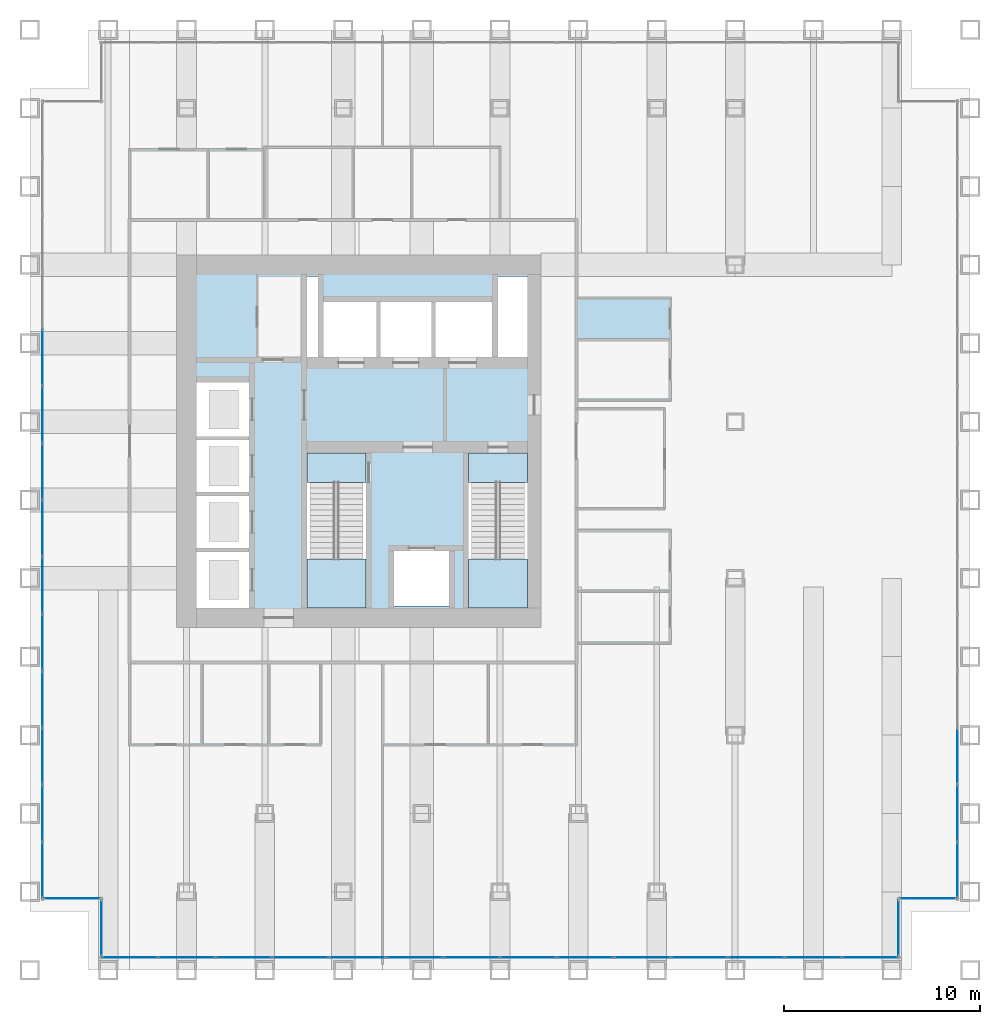
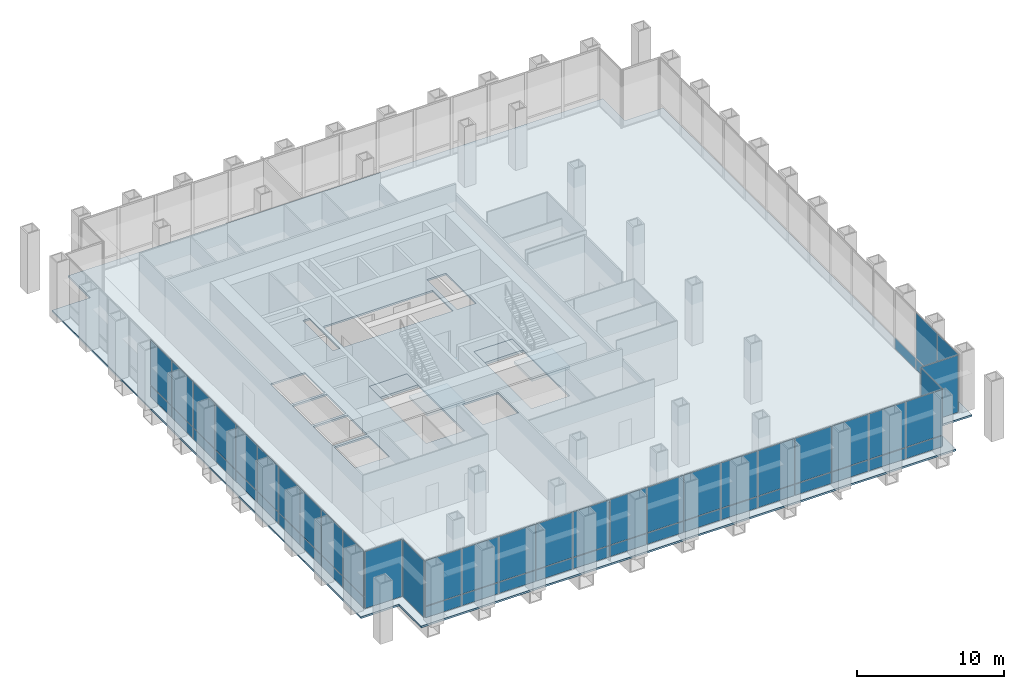
# One storey, part 10 of 16: 57 plates, 5 slabs, 9 elements without a shape of their own.
"""IFC4 building model written with IfcOpenShell, lengths in metres."""

from ifc_helpers import new_model, si_unit, direction, frame, origin, origin_2d, place, context, subcontext, project, spatial, polyline, rectangle, outline, extrude, material, layer, layer_set, type_object, element, aggregate, save


model = new_model("IFC4")

# Units and contexts
model_context = context("Model", 3, precision=1e-05, world=origin(), true_north=direction((0.0, 1.0)))
body_context = subcontext(model_context, "Body", "Model", "MODEL_VIEW")
ifc_project = project(units=[si_unit("LENGTHUNIT", "METRE"), si_unit("AREAUNIT", "SQUARE_METRE"), si_unit("VOLUMEUNIT", "CUBIC_METRE"), si_unit("PLANEANGLEUNIT", "RADIAN"), si_unit("MASSUNIT", "GRAM", prefix="KILO")], contexts=[model_context])

# Site, building, storey
site_placement = place(None, origin())
site = spatial("IfcSite", under=ifc_project, at=site_placement, CompositionType="ELEMENT")
building_placement = place(site_placement, origin())
building = spatial("IfcBuilding", under=site, at=building_placement, Name="Rimbunsela Tower", CompositionType="ELEMENT")
storey_placement = place(building_placement, frame((0.0, 0.0, 76.39990234375)))
storey = spatial("IfcBuildingStorey", under=building, at=storey_placement, Name="L18", CompositionType="ELEMENT", Elevation=76.39990234375)

# Slab
ifc_material_1 = material(Name="Concrete fc' 35 MPa", Category="concrete")
ifc_layer_1 = layer(ifc_material_1, 0.14990234375)
ifc_layer_set_1 = layer_set([ifc_layer_1], Name="Floor slab 150")
slab_type_1 = type_object("IfcSlabType", Name="Floor slab 150", PredefinedType="FLOOR", material=ifc_layer_set_1)
slab_1_placement = place(storey_placement, frame((0.0, 0.0, -0.14990234375)))
element("IfcSlab", 1, at=slab_1_placement, inside=storey, type_object=slab_type_1, Name="Floor slab L18", PredefinedType="FLOOR", context=body_context, shape_type="SweptSolid", body=[
    extrude(outline(polyline([(13.0, 0.0), (55.0, 0.0), (55.0, 3.0), (58.0, 3.0), (58.0, 45.0), (55.0, 45.0), (55.0, 48.0), (13.0, 48.0), (13.0, 45.0), (10.0, 45.0), (10.0, 3.0), (13.0, 3.0), (13.0, 0.0)]), holes=[polyline([(21.199951171875, 21.35009765625), (18.5, 21.35009765625), (18.5, 18.5), (21.199951171875, 18.5), (21.199951171875, 21.35009765625)]), polyline([(21.199951171875, 21.550048828125), (21.199951171875, 24.199951171875), (18.5, 24.199951171875), (18.5, 21.550048828125), (21.199951171875, 21.550048828125)]), polyline([(21.199951171875, 27.050048828125), (18.5, 27.050048828125), (18.5, 24.39990234375), (21.199951171875, 24.39990234375), (21.199951171875, 27.050048828125)]), polyline([(21.199951171875, 27.25), (21.199951171875, 30.0), (18.5, 30.0), (18.5, 27.25), (21.199951171875, 27.25)]), polyline([(27.14990234375, 18.60009765625), (27.14990234375, 26.39990234375), (24.14990234375, 26.39990234375), (24.14990234375, 18.60009765625), (27.14990234375, 18.60009765625)]), polyline([(24.699951171875, 31.300048828125), (24.699951171875, 35.39990234375), (24.14990234375, 35.39990234375), (24.14990234375, 31.300048828125), (24.699951171875, 31.300048828125)]), polyline([(25.0, 34.10009765625), (25.0, 31.300048828125), (33.60009765625, 31.300048828125), (33.60009765625, 34.10009765625), (25.0, 34.10009765625)]), polyline([(31.39990234375, 21.39990234375), (28.60009765625, 21.39990234375), (28.60009765625, 18.60009765625), (31.39990234375, 18.60009765625), (31.39990234375, 21.39990234375)]), polyline([(35.39990234375, 18.60009765625), (35.39990234375, 26.39990234375), (32.39990234375, 26.39990234375), (32.39990234375, 18.60009765625), (35.39990234375, 18.60009765625)]), polyline([(35.39990234375, 31.300048828125), (35.39990234375, 35.39990234375), (33.89990234375, 35.39990234375), (33.89990234375, 31.300048828125), (35.39990234375, 31.300048828125)])]), origin(), (0.0, 0.0, 1.0), 0.14990234375),
])

# Curtain wall, plate
ifc_material_2 = material(Name="Aluminium curtain wall", Category="aluminium")
curtain_wall_type_1 = type_object("IfcCurtainWallType", Name="Corner glazing", PredefinedType="USERDEFINED", material=ifc_material_2)
curtain_wall_1_placement = place(storey_placement, origin())
curtain_wall_1 = element("IfcCurtainWall", 2, at=curtain_wall_1_placement, inside=storey, type_object=curtain_wall_type_1, Name="Corner glazing L18", ObjectType="CORNER GLAZING", PredefinedType="USERDEFINED")
ifc_material_3 = material(Name="Clear double glazing", Category="glass")
ifc_layer_2 = layer(ifc_material_3, 0.028076171875)
ifc_layer_set_2 = layer_set([ifc_layer_2], Name="Glazed panel clear")
plate_type = type_object("IfcPlateType", Name="Glazed panel clear", PredefinedType="CURTAIN_PANEL", material=ifc_layer_set_2)
plate_1_placement = place(storey_placement, frame((54.35009765625, 2.14990234375, 0.06005859375), z_axis=(0.0, 0.0, 1.0), x_axis=(0.0, 1.0, 0.0)))
plate_1 = element("IfcPlate", 3, at=plate_1_placement, type_object=plate_type, Name="CW5 panel 1.1", PredefinedType="CURTAIN_PANEL", context=body_context, shape_type="SweptSolid", body=[
    extrude(rectangle(XDim=2.8798828125, YDim=0.028076171875, at=origin_2d()), origin(), (0.0, 0.0, 1.0), 4.72998046875),
])
aggregate(curtain_wall_1, [plate_1])

curtain_wall_2_placement = place(storey_placement, origin())
curtain_wall_2 = element("IfcCurtainWall", 4, at=curtain_wall_2_placement, inside=storey, type_object=curtain_wall_type_1, Name="Corner glazing L18", ObjectType="CORNER GLAZING", PredefinedType="USERDEFINED")
plate_2_placement = place(storey_placement, frame((55.85009765625, 3.64990234375, 0.06005859375), z_axis=(0.0, 0.0, 1.0), x_axis=(1.0, 0.0, 0.0)))
plate_2 = element("IfcPlate", 5, at=plate_2_placement, type_object=plate_type, Name="CW5 panel 1.1", PredefinedType="CURTAIN_PANEL", context=body_context, shape_type="SweptSolid", body=[
    extrude(rectangle(XDim=2.8798828125, YDim=0.028076171875, at=origin_2d()), origin(), (0.0, 0.0, 1.0), 4.72998046875),
])
aggregate(curtain_wall_2, [plate_2])

# Curtain wall, plates
ifc_material_4 = material(Name="Aluminium curtain wall", Category="aluminium")
curtain_wall_type_2 = type_object("IfcCurtainWallType", Name="Sky lobby glazing", PredefinedType="USERDEFINED", material=ifc_material_4)
curtain_wall_3_placement = place(storey_placement, origin())
curtain_wall_3 = element("IfcCurtainWall", 6, at=curtain_wall_3_placement, inside=storey, type_object=curtain_wall_type_2, Name="Sky lobby glazing L18", ObjectType="SKY LOBBY GLAZING", PredefinedType="USERDEFINED")
plate_3_placement = place(storey_placement, frame((57.35009765625, 5.11865234375, 0.06005859375), z_axis=(0.0, 0.0, 1.0), x_axis=(0.0, 1.0, 0.0)))
plate_3 = element("IfcPlate", 7, at=plate_3_placement, type_object=plate_type, Name="CW4 panel 1.1", PredefinedType="CURTAIN_PANEL", context=body_context, shape_type="SweptSolid", body=[
    extrude(rectangle(XDim=2.817138671875, YDim=0.028076171875, at=origin_2d()), origin(), (0.0, 0.0, 1.0), 0.909912109375),
])
plate_4_placement = place(storey_placement, frame((57.35009765625, 5.11865234375, 1.0302734375), z_axis=(0.0, 0.0, 1.0), x_axis=(0.0, 1.0, 0.0)))
plate_4 = element("IfcPlate", 8, at=plate_4_placement, type_object=plate_type, Name="CW4 panel 1.2", PredefinedType="CURTAIN_PANEL", context=body_context, shape_type="SweptSolid", body=[
    extrude(rectangle(XDim=2.817138671875, YDim=0.028076171875, at=origin_2d()), origin(), (0.0, 0.0, 1.0), 3.760009765625),
])
plate_5_placement = place(storey_placement, frame((57.35009765625, 8.0107421875, 0.06005859375), z_axis=(0.0, 0.0, 1.0), x_axis=(0.0, 1.0, 0.0)))
plate_5 = element("IfcPlate", 9, at=plate_5_placement, type_object=plate_type, Name="CW4 panel 2.1", PredefinedType="CURTAIN_PANEL", context=body_context, shape_type="SweptSolid", body=[
    extrude(rectangle(XDim=2.84716796875, YDim=0.028076171875, at=origin_2d()), origin(), (0.0, 0.0, 1.0), 0.909912109375),
])
plate_6_placement = place(storey_placement, frame((57.35009765625, 8.0107421875, 1.0302734375), z_axis=(0.0, 0.0, 1.0), x_axis=(0.0, 1.0, 0.0)))
plate_6 = element("IfcPlate", 10, at=plate_6_placement, type_object=plate_type, Name="CW4 panel 2.2", PredefinedType="CURTAIN_PANEL", context=body_context, shape_type="SweptSolid", body=[
    extrude(rectangle(XDim=2.84716796875, YDim=0.028076171875, at=origin_2d()), origin(), (0.0, 0.0, 1.0), 3.760009765625),
])
plate_7_placement = place(storey_placement, frame((57.35009765625, 10.91796875, 0.06005859375), z_axis=(0.0, 0.0, 1.0), x_axis=(0.0, 1.0, 0.0)))
plate_7 = element("IfcPlate", 11, at=plate_7_placement, type_object=plate_type, Name="CW4 panel 3.1", PredefinedType="CURTAIN_PANEL", context=body_context, shape_type="SweptSolid", body=[
    extrude(rectangle(XDim=2.84716796875, YDim=0.028076171875, at=origin_2d()), origin(), (0.0, 0.0, 1.0), 0.909912109375),
])
aggregate(curtain_wall_3, [plate_3, plate_4, plate_5, plate_6, plate_7])

curtain_wall_4_placement = place(storey_placement, origin())
curtain_wall_4 = element("IfcCurtainWall", 12, at=curtain_wall_4_placement, inside=storey, type_object=curtain_wall_type_2, Name="Sky lobby glazing L18", ObjectType="SKY LOBBY GLAZING", PredefinedType="USERDEFINED")
plate_8_placement = place(storey_placement, frame((10.64990234375, 31.267822265625, 0.06005859375), z_axis=(0.0, 0.0, 1.0), x_axis=(0.0, -1.0, 0.0)))
plate_8 = element("IfcPlate", 13, at=plate_8_placement, type_object=plate_type, Name="CW4 panel 5.1", PredefinedType="CURTAIN_PANEL", context=body_context, shape_type="SweptSolid", body=[
    extrude(rectangle(XDim=2.84716796875, YDim=0.028076171875, at=origin_2d()), origin(), (0.0, 0.0, 1.0), 0.909912109375),
])
plate_9_placement = place(storey_placement, frame((10.64990234375, 31.267822265625, 1.0302734375), z_axis=(0.0, 0.0, 1.0), x_axis=(0.0, -1.0, 0.0)))
plate_9 = element("IfcPlate", 14, at=plate_9_placement, type_object=plate_type, Name="CW4 panel 5.2", PredefinedType="CURTAIN_PANEL", context=body_context, shape_type="SweptSolid", body=[
    extrude(rectangle(XDim=2.84716796875, YDim=0.028076171875, at=origin_2d()), origin(), (0.0, 0.0, 1.0), 3.760009765625),
])
plate_10_placement = place(storey_placement, frame((10.64990234375, 28.360595703125, 0.06005859375), z_axis=(0.0, 0.0, 1.0), x_axis=(0.0, -1.0, 0.0)))
plate_10 = element("IfcPlate", 15, at=plate_10_placement, type_object=plate_type, Name="CW4 panel 6.1", PredefinedType="CURTAIN_PANEL", context=body_context, shape_type="SweptSolid", body=[
    extrude(rectangle(XDim=2.84716796875, YDim=0.028076171875, at=origin_2d()), origin(), (0.0, 0.0, 1.0), 0.909912109375),
])
plate_11_placement = place(storey_placement, frame((10.64990234375, 28.360595703125, 1.0302734375), z_axis=(0.0, 0.0, 1.0), x_axis=(0.0, -1.0, 0.0)))
plate_11 = element("IfcPlate", 16, at=plate_11_placement, type_object=plate_type, Name="CW4 panel 6.2", PredefinedType="CURTAIN_PANEL", context=body_context, shape_type="SweptSolid", body=[
    extrude(rectangle(XDim=2.84716796875, YDim=0.028076171875, at=origin_2d()), origin(), (0.0, 0.0, 1.0), 3.760009765625),
])
plate_12_placement = place(storey_placement, frame((10.64990234375, 25.45361328125, 0.06005859375), z_axis=(0.0, 0.0, 1.0), x_axis=(0.0, -1.0, 0.0)))
plate_12 = element("IfcPlate", 17, at=plate_12_placement, type_object=plate_type, Name="CW4 panel 7.1", PredefinedType="CURTAIN_PANEL", context=body_context, shape_type="SweptSolid", body=[
    extrude(rectangle(XDim=2.84716796875, YDim=0.028076171875, at=origin_2d()), origin(), (0.0, 0.0, 1.0), 0.909912109375),
])
plate_13_placement = place(storey_placement, frame((10.64990234375, 25.45361328125, 1.0302734375), z_axis=(0.0, 0.0, 1.0), x_axis=(0.0, -1.0, 0.0)))
plate_13 = element("IfcPlate", 18, at=plate_13_placement, type_object=plate_type, Name="CW4 panel 7.2", PredefinedType="CURTAIN_PANEL", context=body_context, shape_type="SweptSolid", body=[
    extrude(rectangle(XDim=2.84716796875, YDim=0.028076171875, at=origin_2d()), origin(), (0.0, 0.0, 1.0), 3.760009765625),
])
plate_14_placement = place(storey_placement, frame((10.64990234375, 22.54638671875, 0.06005859375), z_axis=(0.0, 0.0, 1.0), x_axis=(0.0, -1.0, 0.0)))
plate_14 = element("IfcPlate", 19, at=plate_14_placement, type_object=plate_type, Name="CW4 panel 8.1", PredefinedType="CURTAIN_PANEL", context=body_context, shape_type="SweptSolid", body=[
    extrude(rectangle(XDim=2.84716796875, YDim=0.028076171875, at=origin_2d()), origin(), (0.0, 0.0, 1.0), 0.909912109375),
])
plate_15_placement = place(storey_placement, frame((10.64990234375, 22.54638671875, 1.0302734375), z_axis=(0.0, 0.0, 1.0), x_axis=(0.0, -1.0, 0.0)))
plate_15 = element("IfcPlate", 20, at=plate_15_placement, type_object=plate_type, Name="CW4 panel 8.2", PredefinedType="CURTAIN_PANEL", context=body_context, shape_type="SweptSolid", body=[
    extrude(rectangle(XDim=2.84716796875, YDim=0.028076171875, at=origin_2d()), origin(), (0.0, 0.0, 1.0), 3.760009765625),
])
plate_16_placement = place(storey_placement, frame((10.64990234375, 19.639404296875, 0.06005859375), z_axis=(0.0, 0.0, 1.0), x_axis=(0.0, -1.0, 0.0)))
plate_16 = element("IfcPlate", 21, at=plate_16_placement, type_object=plate_type, Name="CW4 panel 9.1", PredefinedType="CURTAIN_PANEL", context=body_context, shape_type="SweptSolid", body=[
    extrude(rectangle(XDim=2.84716796875, YDim=0.028076171875, at=origin_2d()), origin(), (0.0, 0.0, 1.0), 0.909912109375),
])
plate_17_placement = place(storey_placement, frame((10.64990234375, 19.639404296875, 1.0302734375), z_axis=(0.0, 0.0, 1.0), x_axis=(0.0, -1.0, 0.0)))
plate_17 = element("IfcPlate", 22, at=plate_17_placement, type_object=plate_type, Name="CW4 panel 9.2", PredefinedType="CURTAIN_PANEL", context=body_context, shape_type="SweptSolid", body=[
    extrude(rectangle(XDim=2.84716796875, YDim=0.028076171875, at=origin_2d()), origin(), (0.0, 0.0, 1.0), 3.760009765625),
])
plate_18_placement = place(storey_placement, frame((10.64990234375, 16.732177734375, 0.06005859375), z_axis=(0.0, 0.0, 1.0), x_axis=(0.0, -1.0, 0.0)))
plate_18 = element("IfcPlate", 23, at=plate_18_placement, type_object=plate_type, Name="CW4 panel 10.1", PredefinedType="CURTAIN_PANEL", context=body_context, shape_type="SweptSolid", body=[
    extrude(rectangle(XDim=2.84716796875, YDim=0.028076171875, at=origin_2d()), origin(), (0.0, 0.0, 1.0), 0.909912109375),
])
plate_19_placement = place(storey_placement, frame((10.64990234375, 16.732177734375, 1.0302734375), z_axis=(0.0, 0.0, 1.0), x_axis=(0.0, -1.0, 0.0)))
plate_19 = element("IfcPlate", 24, at=plate_19_placement, type_object=plate_type, Name="CW4 panel 10.2", PredefinedType="CURTAIN_PANEL", context=body_context, shape_type="SweptSolid", body=[
    extrude(rectangle(XDim=2.84716796875, YDim=0.028076171875, at=origin_2d()), origin(), (0.0, 0.0, 1.0), 3.760009765625),
])
plate_20_placement = place(storey_placement, frame((10.64990234375, 13.824951171875, 0.06005859375), z_axis=(0.0, 0.0, 1.0), x_axis=(0.0, -1.0, 0.0)))
plate_20 = element("IfcPlate", 25, at=plate_20_placement, type_object=plate_type, Name="CW4 panel 11.1", PredefinedType="CURTAIN_PANEL", context=body_context, shape_type="SweptSolid", body=[
    extrude(rectangle(XDim=2.84716796875, YDim=0.028076171875, at=origin_2d()), origin(), (0.0, 0.0, 1.0), 0.909912109375),
])
plate_21_placement = place(storey_placement, frame((10.64990234375, 13.824951171875, 1.0302734375), z_axis=(0.0, 0.0, 1.0), x_axis=(0.0, -1.0, 0.0)))
plate_21 = element("IfcPlate", 26, at=plate_21_placement, type_object=plate_type, Name="CW4 panel 11.2", PredefinedType="CURTAIN_PANEL", context=body_context, shape_type="SweptSolid", body=[
    extrude(rectangle(XDim=2.84716796875, YDim=0.028076171875, at=origin_2d()), origin(), (0.0, 0.0, 1.0), 3.760009765625),
])
plate_22_placement = place(storey_placement, frame((10.64990234375, 10.91796875, 0.06005859375), z_axis=(0.0, 0.0, 1.0), x_axis=(0.0, -1.0, 0.0)))
plate_22 = element("IfcPlate", 27, at=plate_22_placement, type_object=plate_type, Name="CW4 panel 12.1", PredefinedType="CURTAIN_PANEL", context=body_context, shape_type="SweptSolid", body=[
    extrude(rectangle(XDim=2.84716796875, YDim=0.028076171875, at=origin_2d()), origin(), (0.0, 0.0, 1.0), 0.909912109375),
])
plate_23_placement = place(storey_placement, frame((10.64990234375, 10.91796875, 1.0302734375), z_axis=(0.0, 0.0, 1.0), x_axis=(0.0, -1.0, 0.0)))
plate_23 = element("IfcPlate", 28, at=plate_23_placement, type_object=plate_type, Name="CW4 panel 12.2", PredefinedType="CURTAIN_PANEL", context=body_context, shape_type="SweptSolid", body=[
    extrude(rectangle(XDim=2.84716796875, YDim=0.028076171875, at=origin_2d()), origin(), (0.0, 0.0, 1.0), 3.760009765625),
])
plate_24_placement = place(storey_placement, frame((10.64990234375, 8.0107421875, 0.06005859375), z_axis=(0.0, 0.0, 1.0), x_axis=(0.0, -1.0, 0.0)))
plate_24 = element("IfcPlate", 29, at=plate_24_placement, type_object=plate_type, Name="CW4 panel 13.1", PredefinedType="CURTAIN_PANEL", context=body_context, shape_type="SweptSolid", body=[
    extrude(rectangle(XDim=2.84716796875, YDim=0.028076171875, at=origin_2d()), origin(), (0.0, 0.0, 1.0), 0.909912109375),
])
plate_25_placement = place(storey_placement, frame((10.64990234375, 8.0107421875, 1.0302734375), z_axis=(0.0, 0.0, 1.0), x_axis=(0.0, -1.0, 0.0)))
plate_25 = element("IfcPlate", 30, at=plate_25_placement, type_object=plate_type, Name="CW4 panel 13.2", PredefinedType="CURTAIN_PANEL", context=body_context, shape_type="SweptSolid", body=[
    extrude(rectangle(XDim=2.84716796875, YDim=0.028076171875, at=origin_2d()), origin(), (0.0, 0.0, 1.0), 3.760009765625),
])
plate_26_placement = place(storey_placement, frame((10.64990234375, 5.11865234375, 0.06005859375), z_axis=(0.0, 0.0, 1.0), x_axis=(0.0, -1.0, 0.0)))
plate_26 = element("IfcPlate", 31, at=plate_26_placement, type_object=plate_type, Name="CW4 panel 14.1", PredefinedType="CURTAIN_PANEL", context=body_context, shape_type="SweptSolid", body=[
    extrude(rectangle(XDim=2.817138671875, YDim=0.028076171875, at=origin_2d()), origin(), (0.0, 0.0, 1.0), 0.909912109375),
])
plate_27_placement = place(storey_placement, frame((10.64990234375, 5.11865234375, 1.0302734375), z_axis=(0.0, 0.0, 1.0), x_axis=(0.0, -1.0, 0.0)))
plate_27 = element("IfcPlate", 32, at=plate_27_placement, type_object=plate_type, Name="CW4 panel 14.2", PredefinedType="CURTAIN_PANEL", context=body_context, shape_type="SweptSolid", body=[
    extrude(rectangle(XDim=2.817138671875, YDim=0.028076171875, at=origin_2d()), origin(), (0.0, 0.0, 1.0), 3.760009765625),
])
aggregate(curtain_wall_4, [plate_8, plate_9, plate_10, plate_11, plate_12, plate_13, plate_14, plate_15, plate_16, plate_17, plate_18, plate_19, plate_20, plate_21, plate_22, plate_23, plate_24, plate_25, plate_26, plate_27])

# Curtain wall, plate
curtain_wall_5_placement = place(storey_placement, origin())
curtain_wall_5 = element("IfcCurtainWall", 33, at=curtain_wall_5_placement, inside=storey, type_object=curtain_wall_type_1, Name="Corner glazing L18", ObjectType="CORNER GLAZING", PredefinedType="USERDEFINED")
plate_28_placement = place(storey_placement, frame((12.14990234375, 3.64990234375, 0.06005859375), z_axis=(0.0, 0.0, 1.0), x_axis=(1.0, 0.0, 0.0)))
plate_28 = element("IfcPlate", 34, at=plate_28_placement, type_object=plate_type, Name="CW5 panel 1.1", PredefinedType="CURTAIN_PANEL", context=body_context, shape_type="SweptSolid", body=[
    extrude(rectangle(XDim=2.8798828125, YDim=0.028076171875, at=origin_2d()), origin(), (0.0, 0.0, 1.0), 4.72998046875),
])
aggregate(curtain_wall_5, [plate_28])

curtain_wall_6_placement = place(storey_placement, origin())
curtain_wall_6 = element("IfcCurtainWall", 35, at=curtain_wall_6_placement, inside=storey, type_object=curtain_wall_type_1, Name="Corner glazing L18", ObjectType="CORNER GLAZING", PredefinedType="USERDEFINED")
plate_29_placement = place(storey_placement, frame((13.64990234375, 2.14990234375, 0.06005859375), z_axis=(0.0, 0.0, 1.0), x_axis=(0.0, -1.0, 0.0)))
plate_29 = element("IfcPlate", 36, at=plate_29_placement, type_object=plate_type, Name="CW5 panel 1.1", PredefinedType="CURTAIN_PANEL", context=body_context, shape_type="SweptSolid", body=[
    extrude(rectangle(XDim=2.8798828125, YDim=0.028076171875, at=origin_2d()), origin(), (0.0, 0.0, 1.0), 4.72998046875),
])
aggregate(curtain_wall_6, [plate_29])

# Curtain wall, plates
curtain_wall_7_placement = place(storey_placement, origin())
curtain_wall_7 = element("IfcCurtainWall", 37, at=curtain_wall_7_placement, inside=storey, type_object=curtain_wall_type_2, Name="Sky lobby glazing L18", ObjectType="SKY LOBBY GLAZING", PredefinedType="USERDEFINED")
plate_30_placement = place(storey_placement, frame((15.11865234375, 0.64990234375, 0.06005859375), z_axis=(0.0, 0.0, 1.0), x_axis=(1.0, 0.0, 0.0)))
plate_30 = element("IfcPlate", 38, at=plate_30_placement, type_object=plate_type, Name="CW4 panel 1.1", PredefinedType="CURTAIN_PANEL", context=body_context, shape_type="SweptSolid", body=[
    extrude(rectangle(XDim=2.817138671875, YDim=0.028076171875, at=origin_2d()), origin(), (0.0, 0.0, 1.0), 0.909912109375),
])
plate_31_placement = place(storey_placement, frame((15.11865234375, 0.64990234375, 1.0302734375), z_axis=(0.0, 0.0, 1.0), x_axis=(1.0, 0.0, 0.0)))
plate_31 = element("IfcPlate", 39, at=plate_31_placement, type_object=plate_type, Name="CW4 panel 1.2", PredefinedType="CURTAIN_PANEL", context=body_context, shape_type="SweptSolid", body=[
    extrude(rectangle(XDim=2.817138671875, YDim=0.028076171875, at=origin_2d()), origin(), (0.0, 0.0, 1.0), 3.760009765625),
])
plate_32_placement = place(storey_placement, frame((18.0107421875, 0.64990234375, 0.06005859375), z_axis=(0.0, 0.0, 1.0), x_axis=(1.0, 0.0, 0.0)))
plate_32 = element("IfcPlate", 40, at=plate_32_placement, type_object=plate_type, Name="CW4 panel 2.1", PredefinedType="CURTAIN_PANEL", context=body_context, shape_type="SweptSolid", body=[
    extrude(rectangle(XDim=2.84716796875, YDim=0.028076171875, at=origin_2d()), origin(), (0.0, 0.0, 1.0), 0.909912109375),
])
plate_33_placement = place(storey_placement, frame((18.0107421875, 0.64990234375, 1.0302734375), z_axis=(0.0, 0.0, 1.0), x_axis=(1.0, 0.0, 0.0)))
plate_33 = element("IfcPlate", 41, at=plate_33_placement, type_object=plate_type, Name="CW4 panel 2.2", PredefinedType="CURTAIN_PANEL", context=body_context, shape_type="SweptSolid", body=[
    extrude(rectangle(XDim=2.84716796875, YDim=0.028076171875, at=origin_2d()), origin(), (0.0, 0.0, 1.0), 3.760009765625),
])
plate_34_placement = place(storey_placement, frame((20.91796875, 0.64990234375, 0.06005859375), z_axis=(0.0, 0.0, 1.0), x_axis=(1.0, 0.0, 0.0)))
plate_34 = element("IfcPlate", 42, at=plate_34_placement, type_object=plate_type, Name="CW4 panel 3.1", PredefinedType="CURTAIN_PANEL", context=body_context, shape_type="SweptSolid", body=[
    extrude(rectangle(XDim=2.84716796875, YDim=0.028076171875, at=origin_2d()), origin(), (0.0, 0.0, 1.0), 0.909912109375),
])
plate_35_placement = place(storey_placement, frame((20.91796875, 0.64990234375, 1.0302734375), z_axis=(0.0, 0.0, 1.0), x_axis=(1.0, 0.0, 0.0)))
plate_35 = element("IfcPlate", 43, at=plate_35_placement, type_object=plate_type, Name="CW4 panel 3.2", PredefinedType="CURTAIN_PANEL", context=body_context, shape_type="SweptSolid", body=[
    extrude(rectangle(XDim=2.84716796875, YDim=0.028076171875, at=origin_2d()), origin(), (0.0, 0.0, 1.0), 3.760009765625),
])
plate_36_placement = place(storey_placement, frame((23.824951171875, 0.64990234375, 0.06005859375), z_axis=(0.0, 0.0, 1.0), x_axis=(1.0, 0.0, 0.0)))
plate_36 = element("IfcPlate", 44, at=plate_36_placement, type_object=plate_type, Name="CW4 panel 4.1", PredefinedType="CURTAIN_PANEL", context=body_context, shape_type="SweptSolid", body=[
    extrude(rectangle(XDim=2.84716796875, YDim=0.028076171875, at=origin_2d()), origin(), (0.0, 0.0, 1.0), 0.909912109375),
])
plate_37_placement = place(storey_placement, frame((23.824951171875, 0.64990234375, 1.0302734375), z_axis=(0.0, 0.0, 1.0), x_axis=(1.0, 0.0, 0.0)))
plate_37 = element("IfcPlate", 45, at=plate_37_placement, type_object=plate_type, Name="CW4 panel 4.2", PredefinedType="CURTAIN_PANEL", context=body_context, shape_type="SweptSolid", body=[
    extrude(rectangle(XDim=2.84716796875, YDim=0.028076171875, at=origin_2d()), origin(), (0.0, 0.0, 1.0), 3.760009765625),
])
plate_38_placement = place(storey_placement, frame((26.732177734375, 0.64990234375, 0.06005859375), z_axis=(0.0, 0.0, 1.0), x_axis=(1.0, 0.0, 0.0)))
plate_38 = element("IfcPlate", 46, at=plate_38_placement, type_object=plate_type, Name="CW4 panel 5.1", PredefinedType="CURTAIN_PANEL", context=body_context, shape_type="SweptSolid", body=[
    extrude(rectangle(XDim=2.84716796875, YDim=0.028076171875, at=origin_2d()), origin(), (0.0, 0.0, 1.0), 0.909912109375),
])
plate_39_placement = place(storey_placement, frame((26.732177734375, 0.64990234375, 1.0302734375), z_axis=(0.0, 0.0, 1.0), x_axis=(1.0, 0.0, 0.0)))
plate_39 = element("IfcPlate", 47, at=plate_39_placement, type_object=plate_type, Name="CW4 panel 5.2", PredefinedType="CURTAIN_PANEL", context=body_context, shape_type="SweptSolid", body=[
    extrude(rectangle(XDim=2.84716796875, YDim=0.028076171875, at=origin_2d()), origin(), (0.0, 0.0, 1.0), 3.760009765625),
])
plate_40_placement = place(storey_placement, frame((29.639404296875, 0.64990234375, 0.06005859375), z_axis=(0.0, 0.0, 1.0), x_axis=(1.0, 0.0, 0.0)))
plate_40 = element("IfcPlate", 48, at=plate_40_placement, type_object=plate_type, Name="CW4 panel 6.1", PredefinedType="CURTAIN_PANEL", context=body_context, shape_type="SweptSolid", body=[
    extrude(rectangle(XDim=2.84716796875, YDim=0.028076171875, at=origin_2d()), origin(), (0.0, 0.0, 1.0), 0.909912109375),
])
plate_41_placement = place(storey_placement, frame((29.639404296875, 0.64990234375, 1.0302734375), z_axis=(0.0, 0.0, 1.0), x_axis=(1.0, 0.0, 0.0)))
plate_41 = element("IfcPlate", 49, at=plate_41_placement, type_object=plate_type, Name="CW4 panel 6.2", PredefinedType="CURTAIN_PANEL", context=body_context, shape_type="SweptSolid", body=[
    extrude(rectangle(XDim=2.84716796875, YDim=0.028076171875, at=origin_2d()), origin(), (0.0, 0.0, 1.0), 3.760009765625),
])
plate_42_placement = place(storey_placement, frame((32.54638671875, 0.64990234375, 0.06005859375), z_axis=(0.0, 0.0, 1.0), x_axis=(1.0, 0.0, 0.0)))
plate_42 = element("IfcPlate", 50, at=plate_42_placement, type_object=plate_type, Name="CW4 panel 7.1", PredefinedType="CURTAIN_PANEL", context=body_context, shape_type="SweptSolid", body=[
    extrude(rectangle(XDim=2.84716796875, YDim=0.028076171875, at=origin_2d()), origin(), (0.0, 0.0, 1.0), 0.909912109375),
])
plate_43_placement = place(storey_placement, frame((32.54638671875, 0.64990234375, 1.0302734375), z_axis=(0.0, 0.0, 1.0), x_axis=(1.0, 0.0, 0.0)))
plate_43 = element("IfcPlate", 51, at=plate_43_placement, type_object=plate_type, Name="CW4 panel 7.2", PredefinedType="CURTAIN_PANEL", context=body_context, shape_type="SweptSolid", body=[
    extrude(rectangle(XDim=2.84716796875, YDim=0.028076171875, at=origin_2d()), origin(), (0.0, 0.0, 1.0), 3.760009765625),
])
plate_44_placement = place(storey_placement, frame((35.45361328125, 0.64990234375, 0.06005859375), z_axis=(0.0, 0.0, 1.0), x_axis=(1.0, 0.0, 0.0)))
plate_44 = element("IfcPlate", 52, at=plate_44_placement, type_object=plate_type, Name="CW4 panel 8.1", PredefinedType="CURTAIN_PANEL", context=body_context, shape_type="SweptSolid", body=[
    extrude(rectangle(XDim=2.84716796875, YDim=0.028076171875, at=origin_2d()), origin(), (0.0, 0.0, 1.0), 0.909912109375),
])
plate_45_placement = place(storey_placement, frame((35.45361328125, 0.64990234375, 1.0302734375), z_axis=(0.0, 0.0, 1.0), x_axis=(1.0, 0.0, 0.0)))
plate_45 = element("IfcPlate", 53, at=plate_45_placement, type_object=plate_type, Name="CW4 panel 8.2", PredefinedType="CURTAIN_PANEL", context=body_context, shape_type="SweptSolid", body=[
    extrude(rectangle(XDim=2.84716796875, YDim=0.028076171875, at=origin_2d()), origin(), (0.0, 0.0, 1.0), 3.760009765625),
])
plate_46_placement = place(storey_placement, frame((38.360595703125, 0.64990234375, 0.06005859375), z_axis=(0.0, 0.0, 1.0), x_axis=(1.0, 0.0, 0.0)))
plate_46 = element("IfcPlate", 54, at=plate_46_placement, type_object=plate_type, Name="CW4 panel 9.1", PredefinedType="CURTAIN_PANEL", context=body_context, shape_type="SweptSolid", body=[
    extrude(rectangle(XDim=2.84716796875, YDim=0.028076171875, at=origin_2d()), origin(), (0.0, 0.0, 1.0), 0.909912109375),
])
plate_47_placement = place(storey_placement, frame((38.360595703125, 0.64990234375, 1.0302734375), z_axis=(0.0, 0.0, 1.0), x_axis=(1.0, 0.0, 0.0)))
plate_47 = element("IfcPlate", 55, at=plate_47_placement, type_object=plate_type, Name="CW4 panel 9.2", PredefinedType="CURTAIN_PANEL", context=body_context, shape_type="SweptSolid", body=[
    extrude(rectangle(XDim=2.84716796875, YDim=0.028076171875, at=origin_2d()), origin(), (0.0, 0.0, 1.0), 3.760009765625),
])
plate_48_placement = place(storey_placement, frame((41.267822265625, 0.64990234375, 0.06005859375), z_axis=(0.0, 0.0, 1.0), x_axis=(1.0, 0.0, 0.0)))
plate_48 = element("IfcPlate", 56, at=plate_48_placement, type_object=plate_type, Name="CW4 panel 10.1", PredefinedType="CURTAIN_PANEL", context=body_context, shape_type="SweptSolid", body=[
    extrude(rectangle(XDim=2.84716796875, YDim=0.028076171875, at=origin_2d()), origin(), (0.0, 0.0, 1.0), 0.909912109375),
])
plate_49_placement = place(storey_placement, frame((41.267822265625, 0.64990234375, 1.0302734375), z_axis=(0.0, 0.0, 1.0), x_axis=(1.0, 0.0, 0.0)))
plate_49 = element("IfcPlate", 57, at=plate_49_placement, type_object=plate_type, Name="CW4 panel 10.2", PredefinedType="CURTAIN_PANEL", context=body_context, shape_type="SweptSolid", body=[
    extrude(rectangle(XDim=2.84716796875, YDim=0.028076171875, at=origin_2d()), origin(), (0.0, 0.0, 1.0), 3.760009765625),
])
plate_50_placement = place(storey_placement, frame((44.175048828125, 0.64990234375, 0.06005859375), z_axis=(0.0, 0.0, 1.0), x_axis=(1.0, 0.0, 0.0)))
plate_50 = element("IfcPlate", 58, at=plate_50_placement, type_object=plate_type, Name="CW4 panel 11.1", PredefinedType="CURTAIN_PANEL", context=body_context, shape_type="SweptSolid", body=[
    extrude(rectangle(XDim=2.84716796875, YDim=0.028076171875, at=origin_2d()), origin(), (0.0, 0.0, 1.0), 0.909912109375),
])
plate_51_placement = place(storey_placement, frame((44.175048828125, 0.64990234375, 1.0302734375), z_axis=(0.0, 0.0, 1.0), x_axis=(1.0, 0.0, 0.0)))
plate_51 = element("IfcPlate", 59, at=plate_51_placement, type_object=plate_type, Name="CW4 panel 11.2", PredefinedType="CURTAIN_PANEL", context=body_context, shape_type="SweptSolid", body=[
    extrude(rectangle(XDim=2.84716796875, YDim=0.028076171875, at=origin_2d()), origin(), (0.0, 0.0, 1.0), 3.760009765625),
])
plate_52_placement = place(storey_placement, frame((47.08203125, 0.64990234375, 0.06005859375), z_axis=(0.0, 0.0, 1.0), x_axis=(1.0, 0.0, 0.0)))
plate_52 = element("IfcPlate", 60, at=plate_52_placement, type_object=plate_type, Name="CW4 panel 12.1", PredefinedType="CURTAIN_PANEL", context=body_context, shape_type="SweptSolid", body=[
    extrude(rectangle(XDim=2.84716796875, YDim=0.028076171875, at=origin_2d()), origin(), (0.0, 0.0, 1.0), 0.909912109375),
])
plate_53_placement = place(storey_placement, frame((47.08203125, 0.64990234375, 1.0302734375), z_axis=(0.0, 0.0, 1.0), x_axis=(1.0, 0.0, 0.0)))
plate_53 = element("IfcPlate", 61, at=plate_53_placement, type_object=plate_type, Name="CW4 panel 12.2", PredefinedType="CURTAIN_PANEL", context=body_context, shape_type="SweptSolid", body=[
    extrude(rectangle(XDim=2.84716796875, YDim=0.028076171875, at=origin_2d()), origin(), (0.0, 0.0, 1.0), 3.760009765625),
])
plate_54_placement = place(storey_placement, frame((49.9892578125, 0.64990234375, 0.06005859375), z_axis=(0.0, 0.0, 1.0), x_axis=(1.0, 0.0, 0.0)))
plate_54 = element("IfcPlate", 62, at=plate_54_placement, type_object=plate_type, Name="CW4 panel 13.1", PredefinedType="CURTAIN_PANEL", context=body_context, shape_type="SweptSolid", body=[
    extrude(rectangle(XDim=2.84716796875, YDim=0.028076171875, at=origin_2d()), origin(), (0.0, 0.0, 1.0), 0.909912109375),
])
plate_55_placement = place(storey_placement, frame((49.9892578125, 0.64990234375, 1.0302734375), z_axis=(0.0, 0.0, 1.0), x_axis=(1.0, 0.0, 0.0)))
plate_55 = element("IfcPlate", 63, at=plate_55_placement, type_object=plate_type, Name="CW4 panel 13.2", PredefinedType="CURTAIN_PANEL", context=body_context, shape_type="SweptSolid", body=[
    extrude(rectangle(XDim=2.84716796875, YDim=0.028076171875, at=origin_2d()), origin(), (0.0, 0.0, 1.0), 3.760009765625),
])
plate_56_placement = place(storey_placement, frame((52.88134765625, 0.64990234375, 0.06005859375), z_axis=(0.0, 0.0, 1.0), x_axis=(1.0, 0.0, 0.0)))
plate_56 = element("IfcPlate", 64, at=plate_56_placement, type_object=plate_type, Name="CW4 panel 14.1", PredefinedType="CURTAIN_PANEL", context=body_context, shape_type="SweptSolid", body=[
    extrude(rectangle(XDim=2.817138671875, YDim=0.028076171875, at=origin_2d()), origin(), (0.0, 0.0, 1.0), 0.909912109375),
])
plate_57_placement = place(storey_placement, frame((52.88134765625, 0.64990234375, 1.0302734375), z_axis=(0.0, 0.0, 1.0), x_axis=(1.0, 0.0, 0.0)))
plate_57 = element("IfcPlate", 65, at=plate_57_placement, type_object=plate_type, Name="CW4 panel 14.2", PredefinedType="CURTAIN_PANEL", context=body_context, shape_type="SweptSolid", body=[
    extrude(rectangle(XDim=2.817138671875, YDim=0.028076171875, at=origin_2d()), origin(), (0.0, 0.0, 1.0), 3.760009765625),
])
aggregate(curtain_wall_7, [plate_30, plate_31, plate_32, plate_33, plate_34, plate_35, plate_36, plate_37, plate_38, plate_39, plate_40, plate_41, plate_42, plate_43, plate_44, plate_45, plate_46, plate_47, plate_48, plate_49, plate_50, plate_51, plate_52, plate_53, plate_54, plate_55, plate_56, plate_57])

# Stair, slabs
ifc_material_5 = material(Name="Concrete fc' 35 MPa", Category="concrete")
stair_type = type_object("IfcStairType", Name="Exit stair 30 risers", PredefinedType="HALF_TURN_STAIR", material=ifc_material_5)
stair_1_placement = place(storey_placement, origin())
stair_1 = element("IfcStair", 66, at=stair_1_placement, inside=storey, type_object=stair_type, Name="Exit stair A L18", PredefinedType="HALF_TURN_STAIR")
ifc_material_6 = material(Name="Concrete fc' 35 MPa", Category="concrete")
ifc_layer_3 = layer(ifc_material_6, 0.199951171875)
ifc_layer_set_3 = layer_set([ifc_layer_3], Name="Stair landing 200")
slab_type_2 = type_object("IfcSlabType", Name="Stair landing 200", PredefinedType="LANDING", material=ifc_layer_set_3)
slab_2_placement = place(storey_placement, frame((0.0, 0.0, -0.199951171875)))
slab_2 = element("IfcSlab", 67, at=slab_2_placement, type_object=slab_type_2, Name="ST-A landing 1", PredefinedType="LANDING", context=body_context, shape_type="SweptSolid", body=[
    extrude(outline(polyline([(24.14990234375, 24.89990234375), (27.14990234375, 24.89990234375), (27.14990234375, 26.39990234375), (24.14990234375, 26.39990234375), (24.14990234375, 24.89990234375)])), origin(), (0.0, 0.0, 1.0), 0.199951171875),
])
slab_3_placement = place(storey_placement, frame((0.0, 0.0, 2.300048828125)))
slab_3 = element("IfcSlab", 68, at=slab_3_placement, type_object=slab_type_2, Name="ST-A landing 2", PredefinedType="LANDING", context=body_context, shape_type="SweptSolid", body=[
    extrude(outline(polyline([(24.14990234375, 18.5), (27.14990234375, 18.5), (27.14990234375, 20.97998046875), (24.14990234375, 20.97998046875), (24.14990234375, 18.5)])), origin(), (0.0, 0.0, 1.0), 0.199951171875),
])
aggregate(stair_1, [slab_2, slab_3])

stair_2_placement = place(storey_placement, origin())
stair_2 = element("IfcStair", 69, at=stair_2_placement, inside=storey, type_object=stair_type, Name="Exit stair B L18", PredefinedType="HALF_TURN_STAIR")
slab_4_placement = place(storey_placement, frame((0.0, 0.0, -0.199951171875)))
slab_4 = element("IfcSlab", 70, at=slab_4_placement, type_object=slab_type_2, Name="ST-B landing 1", PredefinedType="LANDING", context=body_context, shape_type="SweptSolid", body=[
    extrude(outline(polyline([(32.39990234375, 24.89990234375), (35.39990234375, 24.89990234375), (35.39990234375, 26.39990234375), (32.39990234375, 26.39990234375), (32.39990234375, 24.89990234375)])), origin(), (0.0, 0.0, 1.0), 0.199951171875),
])
slab_5_placement = place(storey_placement, frame((0.0, 0.0, 2.300048828125)))
slab_5 = element("IfcSlab", 71, at=slab_5_placement, type_object=slab_type_2, Name="ST-B landing 2", PredefinedType="LANDING", context=body_context, shape_type="SweptSolid", body=[
    extrude(outline(polyline([(32.39990234375, 18.5), (35.39990234375, 18.5), (35.39990234375, 20.97998046875), (32.39990234375, 20.97998046875), (32.39990234375, 18.5)])), origin(), (0.0, 0.0, 1.0), 0.199951171875),
])
aggregate(stair_2, [slab_4, slab_5])

save(model, "model.ifc")
